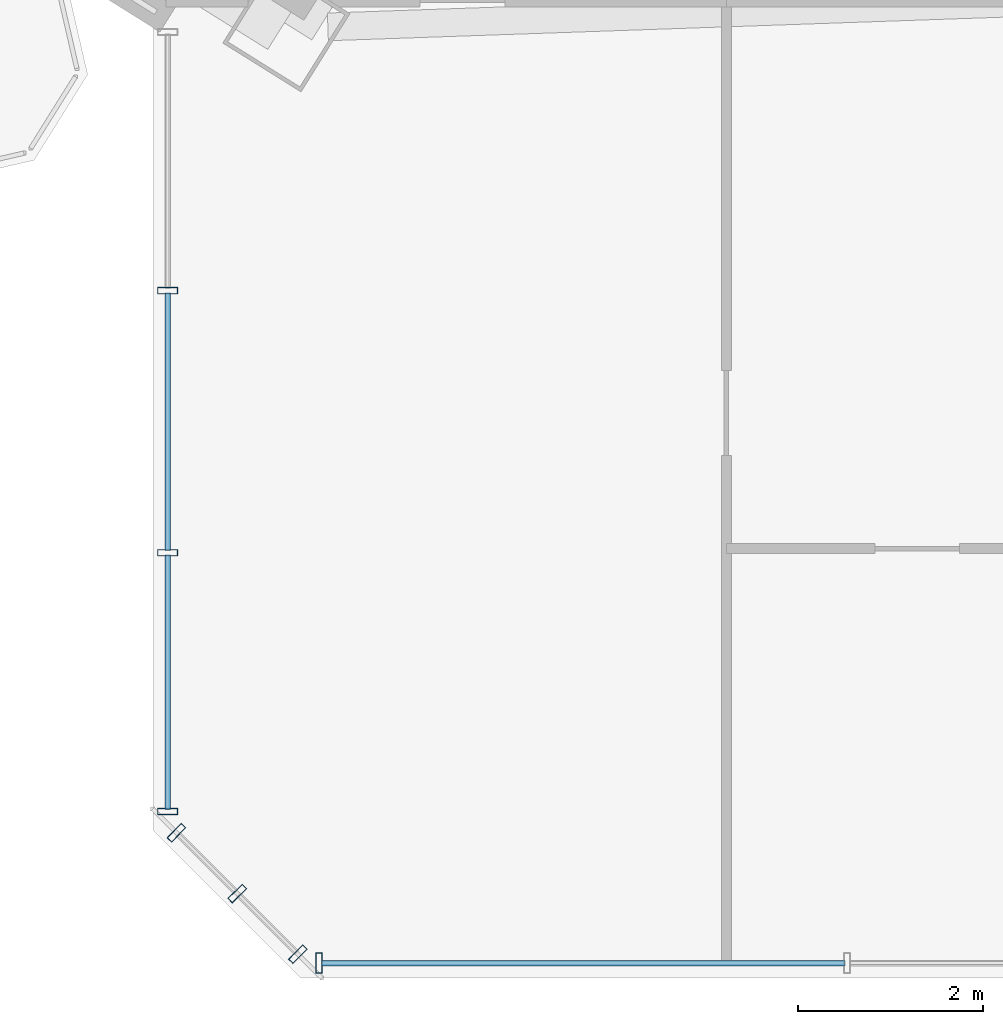
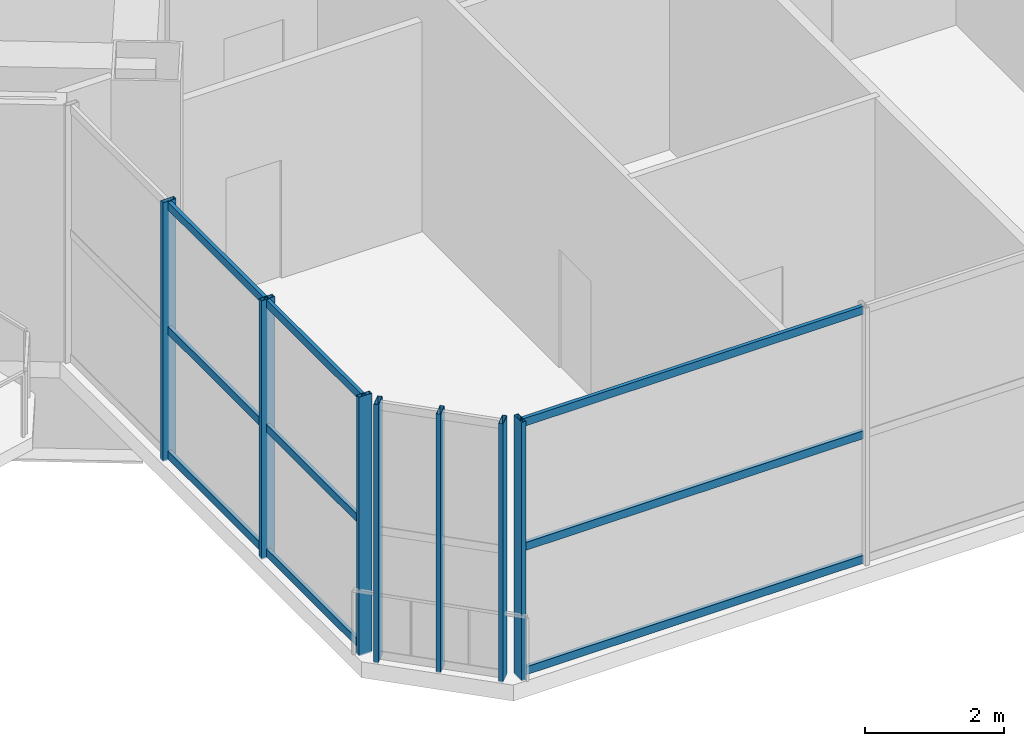
# One storey, part 4 of 22: 16 members, 3 elements without a shape of their own.
"""IFC4 building model written with IfcOpenShell, lengths in metres."""

from ifc_helpers import new_model, si_unit, direction, frame, origin, origin_2d, place, context, subcontext, project, spatial, hollow_rectangle, extrude, source, transform, mapped, material, material_profile, profile_set, type_object, element, aggregate, save


model = new_model("IFC4")

# Units and contexts
model_context = context("Model", 3, precision=1e-05, world=origin(), true_north=direction((0.0, 1.0)))
body_context = subcontext(model_context, "Body", "Model", "MODEL_VIEW")
ifc_project = project(units=[si_unit("LENGTHUNIT", "METRE"), si_unit("AREAUNIT", "SQUARE_METRE"), si_unit("VOLUMEUNIT", "CUBIC_METRE"), si_unit("PLANEANGLEUNIT", "RADIAN"), si_unit("MASSUNIT", "GRAM", prefix="KILO")], contexts=[model_context])

# Site, building, storey
site_placement = place(None, origin())
site = spatial("IfcSite", under=ifc_project, at=site_placement, CompositionType="ELEMENT")
building_placement = place(site_placement, origin())
building = spatial("IfcBuilding", under=site, at=building_placement, Name="Tlacorven Tower", CompositionType="ELEMENT")
storey_placement = place(building_placement, frame((0.0, 0.0, 71.699951171875)))
storey = spatial("IfcBuildingStorey", under=building, at=storey_placement, Name="L18", CompositionType="ELEMENT", Elevation=71.699951171875)

# Curtain wall, members
ifc_material_1 = material(Name="Dark solar low-E double glazing in aluminium frame", Category="aluminium")
curtain_wall_type = type_object("IfcCurtainWallType", Name="CW-TWR-LOW", PredefinedType="USERDEFINED", material=ifc_material_1)
curtain_wall_1_placement = place(storey_placement, origin())
curtain_wall_1 = element("IfcCurtainWall", 1, at=curtain_wall_1_placement, inside=storey, type_object=curtain_wall_type, Name="L18 CW-TWR-LOW Curtain Wall 100", ObjectType="UNITISED CURTAIN WALL", PredefinedType="USERDEFINED")
ifc_material_2 = material(Name="Aluminium 6063-T6 anodised", Category="aluminium")
ifc_material_profile_1 = material_profile(ifc_material_2, hollow_rectangle(XDim=0.06005859375, YDim=0.139892578125, WallThickness=0.00390625, at=origin_2d()), Name="ALU TRANSOM 60X140")
ifc_profile_set_1 = profile_set([ifc_material_profile_1], Name="Aluminium 6063-T6 anodised")
member_type_1 = type_object("IfcMemberType", Name="CWT-02", PredefinedType="USERDEFINED", material=ifc_profile_set_1)
shared_shape_1 = source(origin(), body_context, "Body", "SweptSolid", [
    extrude(hollow_rectangle(XDim=0.06005859375, YDim=0.139892578125, WallThickness=0.00390625, at=origin_2d()), origin(), (0.0, 0.0, 1.0), 5.6748046875),
])
member_1_placement = place(storey_placement, frame((39.09912109375, 1.9599609375, 0.070068359375), z_axis=(-1.0, 0.0, 0.0), x_axis=(0.0, -1.0, 0.0)))
member_1 = element("IfcMember", 2, at=member_1_placement, type_object=member_type_1, Name="CW-L18-100 Transom 7", ObjectType="TRANSOM", PredefinedType="USERDEFINED", context=body_context, shape_type="MappedRepresentation", body=[
    mapped(shared_shape_1, transform((0.0, 0.0, 0.0), scale=1.0)),
])
member_2_placement = place(storey_placement, frame((39.09912109375, 1.9599609375, 2.260009765625), z_axis=(-1.0, 0.0, 0.0), x_axis=(0.0, -1.0, 0.0)))
member_2 = element("IfcMember", 3, at=member_2_placement, type_object=member_type_1, Name="CW-L18-100 Transom 8", ObjectType="TRANSOM", PredefinedType="USERDEFINED", context=body_context, shape_type="MappedRepresentation", body=[
    mapped(shared_shape_1, transform((0.0, 0.0, 0.0), scale=1.0)),
])
member_3_placement = place(storey_placement, frame((39.09912109375, 1.9599609375, 4.449951171875), z_axis=(-1.0, 0.0, 0.0), x_axis=(0.0, -1.0, 0.0)))
member_3 = element("IfcMember", 4, at=member_3_placement, type_object=member_type_1, Name="CW-L18-100 Transom 9", ObjectType="TRANSOM", PredefinedType="USERDEFINED", context=body_context, shape_type="MappedRepresentation", body=[
    mapped(shared_shape_1, transform((0.0, 0.0, 0.0), scale=1.0)),
])
ifc_material_profile_2 = material_profile(ifc_material_2, hollow_rectangle(XDim=0.070068359375, YDim=0.219970703125, WallThickness=0.0048828125, at=origin_2d()), Name="ALU MULLION 70X220")
ifc_profile_set_2 = profile_set([ifc_material_profile_2], Name="Aluminium 6063-T6 anodised")
member_type_2 = type_object("IfcMemberType", Name="CWM-01", PredefinedType="MULLION", material=ifc_profile_set_2)
shared_shape_2 = source(origin(), body_context, "Body", "SweptSolid", [
    extrude(hollow_rectangle(XDim=0.070068359375, YDim=0.219970703125, WallThickness=0.0048828125, at=origin_2d()), origin(), (0.0, 0.0, 1.0), 4.550048828125),
])
member_4_placement = place(storey_placement, frame((33.4013671875, 1.9599609375, -0.02001953125), z_axis=(0.0, 0.0, 1.0), x_axis=(-1.0, 0.0, 0.0)))
member_4 = element("IfcMember", 5, at=member_4_placement, type_object=member_type_2, Name="CW-L18-100 Mullion 4", PredefinedType="MULLION", context=body_context, shape_type="MappedRepresentation", body=[
    mapped(shared_shape_2, transform((0.0, 0.0, 0.0), scale=1.0)),
])
aggregate(curtain_wall_1, [member_4, member_1, member_2, member_3])

curtain_wall_2_placement = place(storey_placement, origin())
curtain_wall_2 = element("IfcCurtainWall", 6, at=curtain_wall_2_placement, inside=storey, type_object=curtain_wall_type, Name="L18 CW-TWR-LOW Curtain Wall 101", ObjectType="UNITISED CURTAIN WALL", PredefinedType="USERDEFINED")
member_5_placement = place(storey_placement, frame((33.1708984375, 2.055419921875, -0.02001953125), z_axis=(0.0, 0.0, 1.0), x_axis=(-0.707106781187, 0.707106781187, 0.0)))
member_5 = element("IfcMember", 7, at=member_5_placement, type_object=member_type_2, Name="CW-L18-101 Mullion 1", PredefinedType="MULLION", context=body_context, shape_type="MappedRepresentation", body=[
    mapped(shared_shape_2, transform((0.0, 0.0, 0.0), scale=1.0)),
])
member_6_placement = place(storey_placement, frame((32.51318359375, 2.713134765625, -0.02001953125), z_axis=(0.0, 0.0, 1.0), x_axis=(-0.707106781187, 0.707106781187, 0.0)))
member_6 = element("IfcMember", 8, at=member_6_placement, type_object=member_type_2, Name="CW-L18-101 Mullion 2", PredefinedType="MULLION", context=body_context, shape_type="MappedRepresentation", body=[
    mapped(shared_shape_2, transform((0.0, 0.0, 0.0), scale=1.0)),
])
member_7_placement = place(storey_placement, frame((31.85546875, 3.370849609375, -0.02001953125), z_axis=(0.0, 0.0, 1.0), x_axis=(-0.707106781187, 0.707106781187, 0.0)))
member_7 = element("IfcMember", 9, at=member_7_placement, type_object=member_type_2, Name="CW-L18-101 Mullion 3", PredefinedType="MULLION", context=body_context, shape_type="MappedRepresentation", body=[
    mapped(shared_shape_2, transform((0.0, 0.0, 0.0), scale=1.0)),
])
aggregate(curtain_wall_2, [member_5, member_6, member_7])

curtain_wall_3_placement = place(storey_placement, origin())
curtain_wall_3 = element("IfcCurtainWall", 10, at=curtain_wall_3_placement, inside=storey, type_object=curtain_wall_type, Name="L18 CW-TWR-LOW Curtain Wall 102", ObjectType="UNITISED CURTAIN WALL", PredefinedType="USERDEFINED")
member_8_placement = place(storey_placement, frame((31.760009765625, 3.601318359375, -0.02001953125), z_axis=(0.0, 0.0, 1.0), x_axis=(0.0, 1.0, 0.0)))
member_8 = element("IfcMember", 11, at=member_8_placement, type_object=member_type_2, Name="CW-L18-102 Mullion 1", PredefinedType="MULLION", context=body_context, shape_type="MappedRepresentation", body=[
    mapped(shared_shape_2, transform((0.0, 0.0, 0.0), scale=1.0)),
])
member_9_placement = place(storey_placement, frame((31.760009765625, 6.4052734375, -0.02001953125), z_axis=(0.0, 0.0, 1.0), x_axis=(0.0, 1.0, 0.0)))
member_9 = element("IfcMember", 12, at=member_9_placement, type_object=member_type_2, Name="CW-L18-102 Mullion 2", PredefinedType="MULLION", context=body_context, shape_type="MappedRepresentation", body=[
    mapped(shared_shape_2, transform((0.0, 0.0, 0.0), scale=1.0)),
])
member_10_placement = place(storey_placement, frame((31.760009765625, 9.244140625, -0.02001953125), z_axis=(0.0, 0.0, 1.0), x_axis=(0.0, 1.0, 0.0)))
member_10 = element("IfcMember", 13, at=member_10_placement, type_object=member_type_2, Name="CW-L18-102 Mullion 3", PredefinedType="MULLION", context=body_context, shape_type="MappedRepresentation", body=[
    mapped(shared_shape_2, transform((0.0, 0.0, 0.0), scale=1.0)),
])
shared_shape_3 = source(origin(), body_context, "Body", "SweptSolid", [
    extrude(hollow_rectangle(XDim=0.06005859375, YDim=0.139892578125, WallThickness=0.00390625, at=origin_2d()), origin(), (0.0, 0.0, 1.0), 2.7578125),
])
member_11_placement = place(storey_placement, frame((31.760009765625, 3.624267578125, 0.070068359375), z_axis=(0.0, 1.0, 0.0), x_axis=(-1.0, 0.0, 0.0)))
member_11 = element("IfcMember", 14, at=member_11_placement, type_object=member_type_1, Name="CW-L18-102 Transom 1", ObjectType="TRANSOM", PredefinedType="USERDEFINED", context=body_context, shape_type="MappedRepresentation", body=[
    mapped(shared_shape_3, transform((0.0, 0.0, 0.0), scale=1.0)),
])
member_12_placement = place(storey_placement, frame((31.760009765625, 3.624267578125, 2.260009765625), z_axis=(0.0, 1.0, 0.0), x_axis=(-1.0, 0.0, 0.0)))
member_12 = element("IfcMember", 15, at=member_12_placement, type_object=member_type_1, Name="CW-L18-102 Transom 2", ObjectType="TRANSOM", PredefinedType="USERDEFINED", context=body_context, shape_type="MappedRepresentation", body=[
    mapped(shared_shape_3, transform((0.0, 0.0, 0.0), scale=1.0)),
])
member_13_placement = place(storey_placement, frame((31.760009765625, 3.624267578125, 4.449951171875), z_axis=(0.0, 1.0, 0.0), x_axis=(-1.0, 0.0, 0.0)))
member_13 = element("IfcMember", 16, at=member_13_placement, type_object=member_type_1, Name="CW-L18-102 Transom 3", ObjectType="TRANSOM", PredefinedType="USERDEFINED", context=body_context, shape_type="MappedRepresentation", body=[
    mapped(shared_shape_3, transform((0.0, 0.0, 0.0), scale=1.0)),
])
shared_shape_4 = source(origin(), body_context, "Body", "SweptSolid", [
    extrude(hollow_rectangle(XDim=0.06005859375, YDim=0.139892578125, WallThickness=0.00390625, at=origin_2d()), origin(), (0.0, 0.0, 1.0), 2.79296875),
])
member_14_placement = place(storey_placement, frame((31.760009765625, 6.42822265625, 0.070068359375), z_axis=(0.0, 1.0, 0.0), x_axis=(-1.0, 0.0, 0.0)))
member_14 = element("IfcMember", 17, at=member_14_placement, type_object=member_type_1, Name="CW-L18-102 Transom 4", ObjectType="TRANSOM", PredefinedType="USERDEFINED", context=body_context, shape_type="MappedRepresentation", body=[
    mapped(shared_shape_4, transform((0.0, 0.0, 0.0), scale=1.0)),
])
member_15_placement = place(storey_placement, frame((31.760009765625, 6.42822265625, 2.260009765625), z_axis=(0.0, 1.0, 0.0), x_axis=(-1.0, 0.0, 0.0)))
member_15 = element("IfcMember", 18, at=member_15_placement, type_object=member_type_1, Name="CW-L18-102 Transom 5", ObjectType="TRANSOM", PredefinedType="USERDEFINED", context=body_context, shape_type="MappedRepresentation", body=[
    mapped(shared_shape_4, transform((0.0, 0.0, 0.0), scale=1.0)),
])
member_16_placement = place(storey_placement, frame((31.760009765625, 6.42822265625, 4.449951171875), z_axis=(0.0, 1.0, 0.0), x_axis=(-1.0, 0.0, 0.0)))
member_16 = element("IfcMember", 19, at=member_16_placement, type_object=member_type_1, Name="CW-L18-102 Transom 6", ObjectType="TRANSOM", PredefinedType="USERDEFINED", context=body_context, shape_type="MappedRepresentation", body=[
    mapped(shared_shape_4, transform((0.0, 0.0, 0.0), scale=1.0)),
])
aggregate(curtain_wall_3, [member_8, member_9, member_10, member_11, member_12, member_13, member_14, member_15, member_16])

save(model, "model.ifc")
